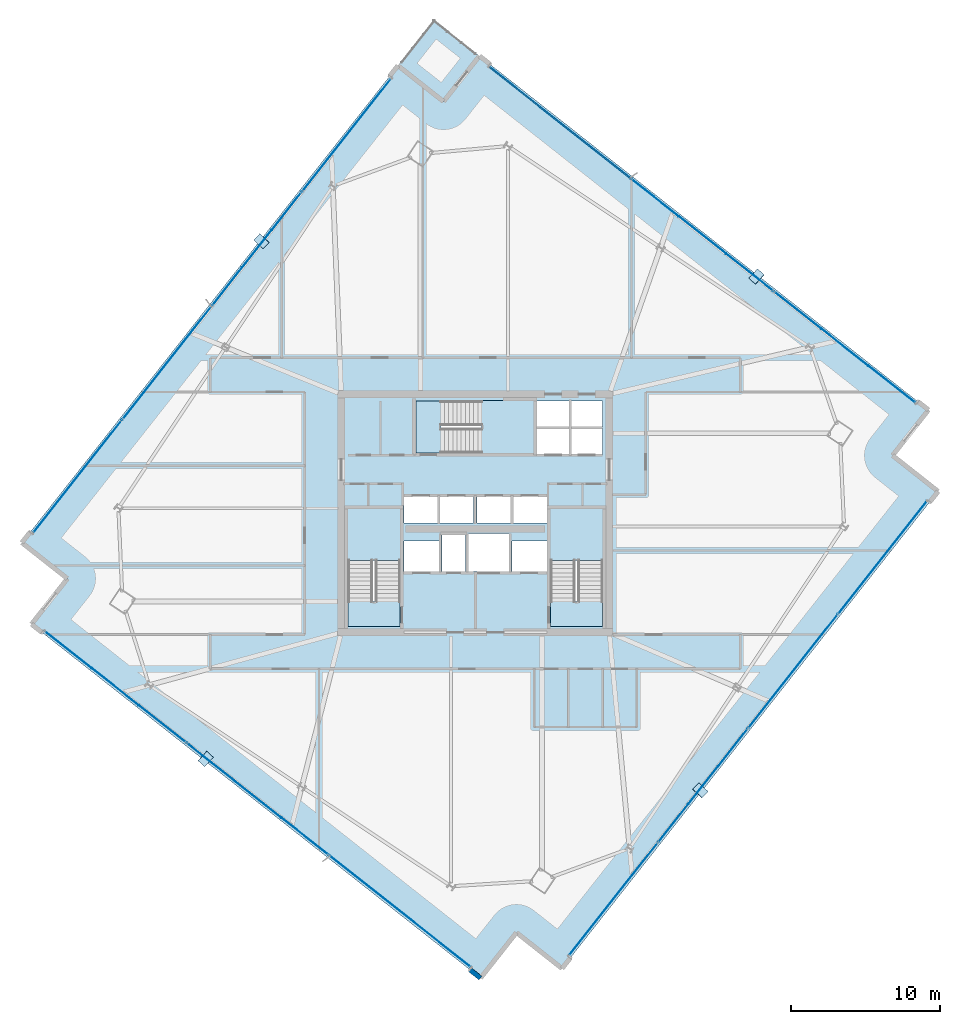
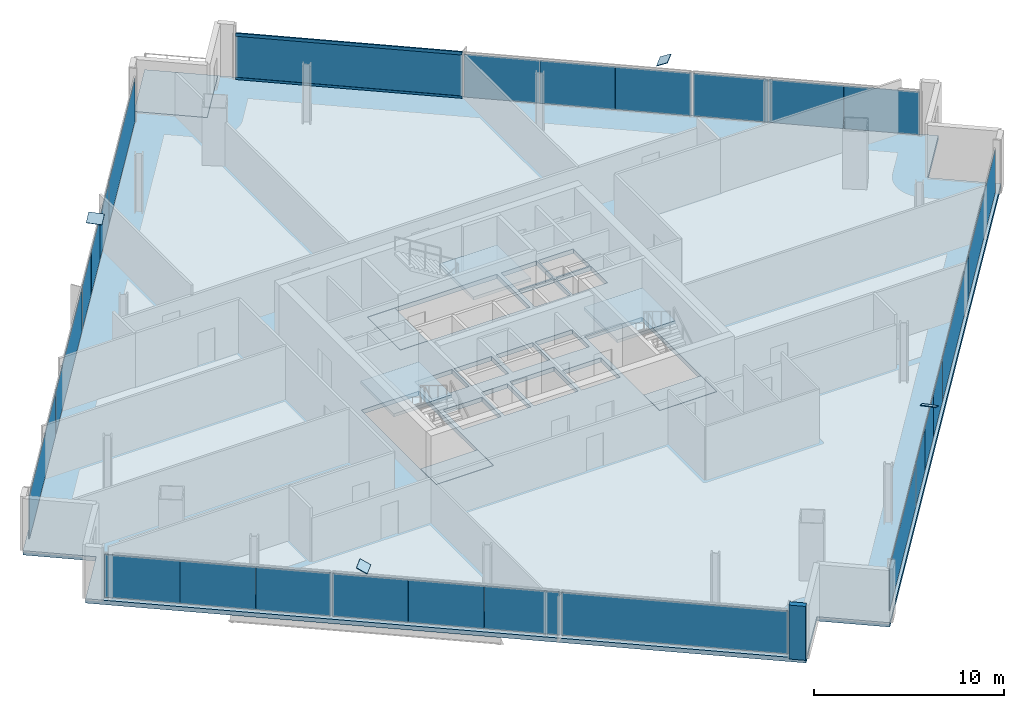
# One storey, part 19 of 28: 30 plates, 8 slabs, 2 members, 1 wall, 7 elements without a shape of their own.
"""IFC4 building model written with IfcOpenShell, lengths in metres."""

from ifc_helpers import new_model, si_unit, direction, frame, frame_2d, origin, origin_2d, place, context, subcontext, project, spatial, polyline, rectangle, hollow_rectangle, outline, extrude, source, transform, mapped, material, layer, layer_set, material_profile, profile_set, type_object, element, aggregate, save


model = new_model("IFC4")

# Units and contexts
model_context = context("Model", 3, precision=1e-05, world=origin(), true_north=direction((0.0, 1.0)))
body_context = subcontext(model_context, "Body", "Model", "MODEL_VIEW")
ifc_project = project(units=[si_unit("LENGTHUNIT", "METRE"), si_unit("AREAUNIT", "SQUARE_METRE"), si_unit("VOLUMEUNIT", "CUBIC_METRE"), si_unit("PLANEANGLEUNIT", "RADIAN"), si_unit("MASSUNIT", "GRAM", prefix="KILO")], contexts=[model_context])

# Site, building, storey
site_placement = place(None, origin())
site = spatial("IfcSite", under=ifc_project, at=site_placement, CompositionType="ELEMENT")
building_placement = place(site_placement, origin())
building = spatial("IfcBuilding", under=site, at=building_placement, Name="Haldenkirk Collegiate Tower", CompositionType="ELEMENT")
storey_placement = place(building_placement, frame((0.0, 0.0, 202.199951171875)))
storey = spatial("IfcBuildingStorey", under=building, at=storey_placement, Name="L50", CompositionType="ELEMENT", Elevation=202.199951171875)

# Curtain wall, members
ifc_material_1 = material(Name="Anodised architectural bronze aluminium", Category="aluminium")
curtain_wall_type_1 = type_object("IfcCurtainWallType", Name="CW-SYS1B-CONVEX-HI", PredefinedType="USERDEFINED", material=ifc_material_1)
curtain_wall_1_placement = place(storey_placement, origin())
curtain_wall_1 = element("IfcCurtainWall", 1, at=curtain_wall_1_placement, inside=storey, type_object=curtain_wall_type_1, Name="L50 Upper tower high-wind convex bronze unitised curtain wall", ObjectType="UNITISED CURTAIN WALL", PredefinedType="USERDEFINED")
ifc_material_profile = material_profile(ifc_material_1, hollow_rectangle(XDim=0.0849609375, YDim=0.199951171875, WallThickness=0.0048828125, at=origin_2d()), Name="CW-TRN-1B")
ifc_profile_set = profile_set([ifc_material_profile], Name="Anodised architectural bronze aluminium")
member_type = type_object("IfcMemberType", Name="CW-TRN-1B", PredefinedType="USERDEFINED", material=ifc_profile_set)
member_1_placement = place(storey_placement, frame((36.942138671875, 55.970947265625, 0.04248046875), z_axis=(0.785321539815, -0.61908810286, 0.0), x_axis=(0.61908810286, 0.785321539815, 0.0)))
member_1 = element("IfcMember", 2, at=member_1_placement, type_object=member_type, Name="CW-1B transom 1.1", ObjectType="TRANSOM", PredefinedType="USERDEFINED", context=body_context, shape_type="SweptSolid", body=[
    extrude(hollow_rectangle(XDim=0.0849609375, YDim=0.199951171875, WallThickness=0.0048828125, at=origin_2d()), origin(), (0.0, 0.0, 1.0), 12.072509765625),
])
member_2_placement = place(storey_placement, frame((36.942138671875, 55.970947265625, 2.885498046875), z_axis=(0.785321539815, -0.61908810286, 0.0), x_axis=(0.61908810286, 0.785321539815, 0.0)))
member_2 = element("IfcMember", 3, at=member_2_placement, type_object=member_type, Name="CW-1B transom 1.2", ObjectType="TRANSOM", PredefinedType="USERDEFINED", context=body_context, shape_type="SweptSolid", body=[
    extrude(hollow_rectangle(XDim=0.0849609375, YDim=0.199951171875, WallThickness=0.0048828125, at=origin_2d()), origin(), (0.0, 0.0, 1.0), 12.072509765625),
])

# Slab
ifc_material_2 = material(Name="Concrete f'c 40 MPa", Category="concrete")
ifc_layer_1 = layer(ifc_material_2, 0.280029296875)
ifc_layer_set_1 = layer_set([ifc_layer_1], Name="Concrete f'c 40 MPa")
slab_type_1 = type_object("IfcSlabType", Name="SLB-FLR-280", PredefinedType="FLOOR", material=ifc_layer_set_1)
slab_1_placement = place(storey_placement, frame((0.0, 0.0, -0.280029296875)))
element("IfcSlab", 4, at=slab_1_placement, inside=storey, type_object=slab_type_1, Name="L50 composite structural floor slab", PredefinedType="FLOOR", context=body_context, shape_type="SweptSolid", body=[
    extrude(outline(polyline([(41.825439453125, -4.569091796875), (67.08447265625, 27.4716796875), (64.021728515625, 29.88623046875), (66.436279296875, 32.948974609375), (36.280029296875, 56.72216796875), (33.865478515625, 53.659423828125), (30.802734375, 56.073974609375), (5.543701171875, 24.032958984375), (8.6064453125, 21.618408203125), (6.192138671875, 18.555908203125), (36.34814453125, -5.21728515625), (38.7626953125, -2.15478515625), (41.825439453125, -4.569091796875)]), holes=[polyline([(27.449951171875, 18.39990234375), (30.949951171875, 18.39990234375), (30.949951171875, 26.300048828125), (27.449951171875, 26.300048828125), (27.449951171875, 18.39990234375)]), polyline([(41.050048828125, 18.39990234375), (44.550048828125, 18.39990234375), (44.550048828125, 26.300048828125), (41.050048828125, 26.300048828125), (41.050048828125, 18.39990234375)]), polyline([(32.0, 30.050048828125), (39.89990234375, 30.050048828125), (39.89990234375, 33.550048828125), (32.0, 33.550048828125), (32.0, 30.050048828125)]), polyline([(33.75, 22.10009765625), (35.35009765625, 22.10009765625), (35.35009765625, 24.550048828125), (33.75, 24.550048828125), (33.75, 22.10009765625)]), polyline([(40.14990234375, 29.949951171875), (42.320068359375, 29.949951171875), (42.320068359375, 31.699951171875), (40.14990234375, 31.699951171875), (40.14990234375, 29.949951171875)]), polyline([(42.419921875, 29.949951171875), (44.550048828125, 29.949951171875), (44.550048828125, 31.699951171875), (42.419921875, 31.699951171875), (42.419921875, 29.949951171875)]), polyline([(40.14990234375, 31.800048828125), (42.320068359375, 31.800048828125), (42.320068359375, 33.550048828125), (40.14990234375, 33.550048828125), (40.14990234375, 31.800048828125)]), polyline([(42.419921875, 31.800048828125), (44.550048828125, 31.800048828125), (44.550048828125, 33.550048828125), (42.419921875, 33.550048828125), (42.419921875, 31.800048828125)]), polyline([(31.199951171875, 25.35009765625), (33.47998046875, 25.35009765625), (33.47998046875, 27.14990234375), (31.199951171875, 27.14990234375), (31.199951171875, 25.35009765625)]), polyline([(33.60009765625, 25.35009765625), (35.8798828125, 25.35009765625), (35.8798828125, 27.14990234375), (33.60009765625, 27.14990234375), (33.60009765625, 25.35009765625)]), polyline([(36.1201171875, 25.35009765625), (38.39990234375, 25.35009765625), (38.39990234375, 27.14990234375), (36.1201171875, 27.14990234375), (36.1201171875, 25.35009765625)]), polyline([(38.52001953125, 25.35009765625), (40.800048828125, 25.35009765625), (40.800048828125, 27.14990234375), (38.52001953125, 27.14990234375), (38.52001953125, 25.35009765625)]), polyline([(31.199951171875, 22.10009765625), (33.550048828125, 22.10009765625), (33.550048828125, 24.14990234375), (31.199951171875, 24.14990234375), (31.199951171875, 22.10009765625)]), polyline([(38.449951171875, 22.10009765625), (40.800048828125, 22.10009765625), (40.800048828125, 24.14990234375), (38.449951171875, 24.14990234375), (38.449951171875, 22.10009765625)]), polyline([(35.550048828125, 22.10009765625), (38.25, 22.10009765625), (38.25, 24.64990234375), (35.550048828125, 24.64990234375), (35.550048828125, 22.10009765625)])]), origin(), (0.0, 0.0, 1.0), 0.280029296875),
])

# Stair, slab
stair_type = type_object("IfcStairType", Name="STR-DOGLEG-1650", PredefinedType="HALF_TURN_STAIR", material=ifc_material_2)
stair_1_placement = place(storey_placement, origin())
stair_1 = element("IfcStair", 5, at=stair_1_placement, inside=storey, type_object=stair_type, Name="L50 Core Exit Stair ST-1", PredefinedType="HALF_TURN_STAIR")
ifc_layer_2 = layer(ifc_material_2, 0.199951171875)
ifc_layer_set_2 = layer_set([ifc_layer_2], Name="Concrete f'c 40 MPa")
slab_type_2 = type_object("IfcSlabType", Name="SLB-LANDING-200", PredefinedType="LANDING", material=ifc_layer_set_2)
slab_2_placement = place(storey_placement, frame((0.0, 0.0, 1.675048828125)))
slab_2 = element("IfcSlab", 6, at=slab_2_placement, type_object=slab_type_2, Name="ST-1 landing 1", PredefinedType="LANDING", context=body_context, shape_type="SweptSolid", body=[
    extrude(outline(polyline([(30.97509765625, 22.824951171875), (27.425048828125, 22.824951171875), (27.425048828125, 26.324951171875), (30.97509765625, 26.324951171875), (30.97509765625, 22.824951171875)])), origin(), (0.0, 0.0, 1.0), 0.199951171875),
])
aggregate(stair_1, [slab_2])

stair_2_placement = place(storey_placement, origin())
stair_2 = element("IfcStair", 7, at=stair_2_placement, inside=storey, type_object=stair_type, Name="L50 Core Exit Stair ST-2", PredefinedType="HALF_TURN_STAIR")
slab_3_placement = place(storey_placement, frame((0.0, 0.0, 1.675048828125)))
slab_3 = element("IfcSlab", 8, at=slab_3_placement, type_object=slab_type_2, Name="ST-2 landing 1", PredefinedType="LANDING", context=body_context, shape_type="SweptSolid", body=[
    extrude(outline(polyline([(44.574951171875, 22.824951171875), (41.02490234375, 22.824951171875), (41.02490234375, 26.324951171875), (44.574951171875, 26.324951171875), (44.574951171875, 22.824951171875)])), origin(), (0.0, 0.0, 1.0), 0.199951171875),
])
aggregate(stair_2, [slab_3])

stair_3_placement = place(storey_placement, origin())
stair_3 = element("IfcStair", 9, at=stair_3_placement, inside=storey, type_object=stair_type, Name="L50 Core Exit Stair ST-3", PredefinedType="HALF_TURN_STAIR")
slab_4_placement = place(storey_placement, frame((0.0, 0.0, 1.675048828125)))
slab_4 = element("IfcSlab", 10, at=slab_4_placement, type_object=slab_type_2, Name="ST-3 landing 1", PredefinedType="LANDING", context=body_context, shape_type="SweptSolid", body=[
    extrude(outline(polyline([(36.425048828125, 30.02490234375), (36.425048828125, 33.574951171875), (39.925048828125, 33.574951171875), (39.925048828125, 30.02490234375), (36.425048828125, 30.02490234375)])), origin(), (0.0, 0.0, 1.0), 0.199951171875),
])
aggregate(stair_3, [slab_4])

# Slabs
ifc_layer_3 = layer(ifc_material_2, 0.25)
ifc_layer_set_3 = layer_set([ifc_layer_3], Name="Concrete f'c 40 MPa")
slab_type_3 = type_object("IfcSlabType", Name="SLB-STAIRLAND-250", PredefinedType="LANDING", material=ifc_layer_set_3)
slab_5_placement = place(storey_placement, frame((0.0, 0.0, -0.25)))
element("IfcSlab", 11, at=slab_5_placement, inside=storey, type_object=slab_type_3, Name="L50 stair ST1 structural floor landing slab", PredefinedType="LANDING", context=body_context, shape_type="SweptSolid", body=[
    extrude(outline(polyline([(27.4599609375, 18.409912109375), (30.93994140625, 18.409912109375), (30.93994140625, 20.080078125), (27.4599609375, 20.080078125), (27.4599609375, 18.409912109375)])), origin(), (0.0, 0.0, 1.0), 0.25),
])
slab_6_placement = place(storey_placement, frame((0.0, 0.0, -0.25)))
element("IfcSlab", 12, at=slab_6_placement, inside=storey, type_object=slab_type_3, Name="L50 stair ST2 structural floor landing slab", PredefinedType="LANDING", context=body_context, shape_type="SweptSolid", body=[
    extrude(outline(polyline([(41.06005859375, 18.409912109375), (44.5400390625, 18.409912109375), (44.5400390625, 20.080078125), (41.06005859375, 20.080078125), (41.06005859375, 18.409912109375)])), origin(), (0.0, 0.0, 1.0), 0.25),
])
slab_7_placement = place(storey_placement, frame((0.0, 0.0, -0.25)))
element("IfcSlab", 13, at=slab_7_placement, inside=storey, type_object=slab_type_3, Name="L50 stair ST3 structural floor landing slab", PredefinedType="LANDING", context=body_context, shape_type="SweptSolid", body=[
    extrude(outline(polyline([(32.010009765625, 30.06005859375), (33.679931640625, 30.06005859375), (33.679931640625, 33.5400390625), (32.010009765625, 33.5400390625), (32.010009765625, 30.06005859375)])), origin(), (0.0, 0.0, 1.0), 0.25),
])
ifc_layer_4 = layer(ifc_material_2, 0.22998046875)
ifc_layer_set_4 = layer_set([ifc_layer_4], Name="Concrete f'c 40 MPa")
slab_type_4 = type_object("IfcSlabType", Name="SLB-TERR-SPIRAL-230", PredefinedType="FLOOR", material=ifc_layer_set_4)
slab_8_placement = place(storey_placement, frame((0.0, 0.0, -0.22998046875)))
element("IfcSlab", 14, at=slab_8_placement, inside=storey, type_object=slab_type_4, Name="L50 spiralling corner terrace slab", PredefinedType="FLOOR", context=body_context, shape_type="SweptSolid", body=[
    extrude(outline(polyline([(33.865478515625, 53.659423828125), (36.280029296875, 56.72216796875), (33.21728515625, 59.13671875), (30.802734375, 56.073974609375), (33.865478515625, 53.659423828125)])), origin(), (0.0, 0.0, 1.0), 0.22998046875),
])

# Plates
ifc_material_3 = material(Name="Steel ASTM A572 Grade 50", Category="steel")
ifc_layer_5 = layer(ifc_material_3, 0.034912109375)
ifc_layer_set_5 = layer_set([ifc_layer_5], Name="Steel ASTM A572 Grade 50")
plate_type_1 = type_object("IfcPlateType", Name="PLT-CAP-EXT-760X600", PredefinedType="USERDEFINED", material=ifc_layer_set_5)
shared_shape_1 = source(origin(), body_context, "Body", "SweptSolid", [
    extrude(rectangle(XDim=0.860107421875, YDim=0.659912109375, at=origin_2d()), origin(), (0.0, 0.0, 1.0), 0.034912109375),
])
for number, where, z_axis, x_axis, name in (
    (15, (51.111083984375, 7.38671875, 3.457275390625), (0.312555935914, 0.331139932103, 0.89031181745), (-0.727218700168, 0.686405829029, 1.59298e-07), "Perimeter Mega Brace Z4 L48-L50 SL end cap plate 2"),
    (16, (54.8935546875, 41.90185546875, 3.45751953125), (-0.319786048935, 0.301466046131, 0.898251137454), (-0.685956170145, -0.72764286064, 4.48427e-07), "Perimeter Mega Brace Z4 L48-L50 EL end cap plate 2"),
    (17, (21.642822265625, 44.283447265625, 3.45751953125), (-0.317403962572, -0.335494960438, 0.886959895409), (0.726420226591, -0.687250794397, -5.85895e-07), "Perimeter Mega Brace Z4 L48-L50 NL end cap plate 2"),
    (18, (17.884521484375, 9.509521484375, 3.457275390625), (0.335975982037, -0.309382983459, 0.889607952438), (0.677394692002, 0.735619759962, -1.24598e-07), "Perimeter Mega Brace Z4 L48-L50 WL end cap plate 2"),
):
    element("IfcPlate", number, at=place(storey_placement, frame(where, z_axis=z_axis, x_axis=x_axis)), inside=storey, type_object=plate_type_1, Name=name, ObjectType="END CAP PLATE", PredefinedType="USERDEFINED", context=body_context, shape_type="MappedRepresentation", body=[
        mapped(shared_shape_1, transform((0.0, 0.0, 0.0), x_axis=(1.0, 0.0, 0.0), y_axis=(0.0, 1.0, 0.0), z_axis=(0.0, 0.0, 1.0), scale=1.0)),
    ])

# Curtain wall, plates
curtain_wall_type_2 = type_object("IfcCurtainWallType", Name="CW-SYS2-CONCAVE", PredefinedType="USERDEFINED", material=ifc_material_1)
curtain_wall_2_placement = place(storey_placement, origin())
curtain_wall_2 = element("IfcCurtainWall", 19, at=curtain_wall_2_placement, inside=storey, type_object=curtain_wall_type_2, Name="L50 South concave recessed bronze-anodised curtain wall", ObjectType="UNITISED CURTAIN WALL", PredefinedType="USERDEFINED")
ifc_material_4 = material(Name="Low-E argon triple insulating glass", Category="glass")
ifc_layer_6 = layer(ifc_material_4, 0.0419921875)
ifc_layer_set_6 = layer_set([ifc_layer_6], Name="Low-E argon triple insulating glass")
plate_type_2 = type_object("IfcPlateType", Name="CW-PNL-02", PredefinedType="CURTAIN_PANEL", material=ifc_layer_set_6)
shared_shape_2 = source(origin(), body_context, "Body", "SweptSolid", [
    extrude(rectangle(XDim=9.637451171875, YDim=0.0419921875, at=origin_2d()), origin(), (0.0, 0.0, 1.0), 2.778076171875),
])
plate_1_placement = place(storey_placement, frame((63.356201171875, 23.033203125, 0.0751953125), z_axis=(0.0, 0.0, 1.0), x_axis=(-0.619094023365, -0.7853168725, 0.0)))
plate_1 = element("IfcPlate", 20, at=plate_1_placement, type_object=plate_type_2, Name="CW-02 panel 1.1", PredefinedType="CURTAIN_PANEL", context=body_context, shape_type="MappedRepresentation", body=[
    mapped(shared_shape_2, transform((0.0, 0.0, 0.0), x_axis=(1.0, 0.0, 0.0), y_axis=(0.0, 1.0, 0.0), z_axis=(0.0, 0.0, 1.0), scale=1.0)),
])
plate_2_placement = place(storey_placement, frame((45.27099609375, 0.092041015625, 0.0751953125), z_axis=(0.0, 0.0, 1.0), x_axis=(-0.619094023365, -0.7853168725, 0.0)))
plate_2 = element("IfcPlate", 21, at=plate_2_placement, type_object=plate_type_2, Name="CW-02 panel 4.1", PredefinedType="CURTAIN_PANEL", context=body_context, shape_type="MappedRepresentation", body=[
    mapped(shared_shape_2, transform((0.0, 0.0, 0.0), x_axis=(1.0, 0.0, 0.0), y_axis=(0.0, 1.0, 0.0), z_axis=(0.0, 0.0, 1.0), scale=1.0)),
])
shared_shape_3 = source(origin(), body_context, "Body", "SweptSolid", [
    extrude(rectangle(XDim=9.675048828125, YDim=0.0419921875, at=origin_2d()), origin(), (0.0, 0.0, 1.0), 2.778076171875),
])
plate_3_placement = place(storey_placement, frame((57.33154296875, 15.39111328125, 0.0751953125), z_axis=(0.0, 0.0, 1.0), x_axis=(-0.619094023365, -0.7853168725, 0.0)))
plate_3 = element("IfcPlate", 22, at=plate_3_placement, type_object=plate_type_2, Name="CW-02 panel 2.1", PredefinedType="CURTAIN_PANEL", context=body_context, shape_type="MappedRepresentation", body=[
    mapped(shared_shape_3, transform((0.0, 0.0, 0.0), x_axis=(1.0, 0.0, 0.0), y_axis=(0.0, 1.0, 0.0), z_axis=(0.0, 0.0, 1.0), scale=1.0)),
])
ifc_material_5 = material(Name="Bronze-anodised insulated aluminium spandrel panel", Category="aluminium")
ifc_layer_7 = layer(ifc_material_5, 0.0419921875)
ifc_layer_set_7 = layer_set([ifc_layer_7], Name="Bronze-anodised insulated aluminium spandrel panel")
plate_type_3 = type_object("IfcPlateType", Name="CW-SPD-02", PredefinedType="CURTAIN_PANEL", material=ifc_layer_set_7)
shared_shape_4 = source(origin(), body_context, "Body", "SweptSolid", [
    extrude(rectangle(XDim=3.21240234375, YDim=0.0419921875, at=origin_2d()), origin(), (0.0, 0.0, 1.0), 2.778076171875),
])
plate_4_placement = place(storey_placement, frame((53.2958984375, 10.271728515625, 0.0751953125), z_axis=(0.0, 0.0, 1.0), x_axis=(-0.619094023365, -0.7853168725, 0.0)))
plate_4 = element("IfcPlate", 23, at=plate_4_placement, type_object=plate_type_3, Name="CW-02 spandrel panel 3.1a", PredefinedType="CURTAIN_PANEL", context=body_context, shape_type="MappedRepresentation", body=[
    mapped(shared_shape_4, transform((0.0, 0.0, 0.0), x_axis=(1.0, 0.0, 0.0), y_axis=(0.0, 1.0, 0.0), z_axis=(0.0, 0.0, 1.0), scale=1.0)),
])
plate_5_placement = place(storey_placement, frame((49.294921875, 5.19677734375, 0.0751953125), z_axis=(0.0, 0.0, 1.0), x_axis=(-0.619094023365, -0.7853168725, 0.0)))
plate_5 = element("IfcPlate", 24, at=plate_5_placement, type_object=plate_type_3, Name="CW-02 spandrel panel 3.1c", PredefinedType="CURTAIN_PANEL", context=body_context, shape_type="MappedRepresentation", body=[
    mapped(shared_shape_4, transform((0.0, 0.0, 0.0), x_axis=(1.0, 0.0, 0.0), y_axis=(0.0, 1.0, 0.0), z_axis=(0.0, 0.0, 1.0), scale=1.0)),
])
shared_shape_5 = source(origin(), body_context, "Body", "SweptSolid", [
    extrude(rectangle(XDim=3.199951171875, YDim=0.0419921875, at=origin_2d()), origin(), (0.0, 0.0, 1.0), 2.778076171875),
])
plate_6_placement = place(storey_placement, frame((51.29541015625, 7.734375, 0.0751953125), z_axis=(0.0, 0.0, 1.0), x_axis=(-0.619094023365, -0.7853168725, 0.0)))
plate_6 = element("IfcPlate", 25, at=plate_6_placement, type_object=plate_type_3, Name="CW-02 spandrel panel 3.1b", PredefinedType="CURTAIN_PANEL", context=body_context, shape_type="MappedRepresentation", body=[
    mapped(shared_shape_5, transform((0.0, 0.0, 0.0), x_axis=(1.0, 0.0, 0.0), y_axis=(0.0, 1.0, 0.0), z_axis=(0.0, 0.0, 1.0), scale=1.0)),
])
aggregate(curtain_wall_2, [plate_1, plate_3, plate_4, plate_6, plate_5, plate_2])

# Plate
ifc_layer_8 = layer(ifc_material_4, 0.048095703125)
ifc_layer_set_8 = layer_set([ifc_layer_8], Name="Low-E argon triple insulating glass")
plate_type_4 = type_object("IfcPlateType", Name="CW-PNL-1B", PredefinedType="CURTAIN_PANEL", material=ifc_layer_set_8)
shared_shape_6 = source(origin(), body_context, "Body", "SweptSolid", [
    extrude(rectangle(XDim=12.072509765625, YDim=0.048095703125, at=origin_2d()), origin(), (0.0, 0.0, 1.0), 2.758056640625),
])
plate_7_placement = place(storey_placement, frame((41.6826171875, 52.23388671875, 0.0849609375), z_axis=(0.0, 0.0, 1.0), x_axis=(0.785317446355, -0.619093295434, 0.0)))
plate_7 = element("IfcPlate", 26, at=plate_7_placement, type_object=plate_type_4, Name="CW-1B panel 1.1", PredefinedType="CURTAIN_PANEL", context=body_context, shape_type="MappedRepresentation", body=[
    mapped(shared_shape_6, transform((0.0, 0.0, 0.0), x_axis=(1.0, 0.0, 0.0), y_axis=(0.0, 1.0, 0.0), z_axis=(0.0, 0.0, 1.0), scale=1.0)),
])

# Curtain wall, plate
curtain_wall_3_placement = place(storey_placement, origin())
curtain_wall_3 = element("IfcCurtainWall", 27, at=curtain_wall_3_placement, inside=storey, type_object=curtain_wall_type_1, Name="L50 Upper tower high-wind convex bronze unitised curtain wall", ObjectType="UNITISED CURTAIN WALL", PredefinedType="USERDEFINED")
plate_8_placement = place(storey_placement, frame((30.94580078125, -0.729248046875, 0.0849609375), z_axis=(0.0, 0.0, 1.0), x_axis=(-0.785316399144, 0.619094623814, 0.0)))
plate_8 = element("IfcPlate", 28, at=plate_8_placement, type_object=plate_type_4, Name="CW-1B panel 1.1", PredefinedType="CURTAIN_PANEL", context=body_context, shape_type="MappedRepresentation", body=[
    mapped(shared_shape_6, transform((0.0, 0.0, 0.0), x_axis=(1.0, 0.0, 0.0), y_axis=(0.0, 1.0, 0.0), z_axis=(0.0, 0.0, 1.0), scale=1.0)),
])

# Plate
shared_shape_7 = source(origin(), body_context, "Body", "SweptSolid", [
    extrude(rectangle(XDim=4.02587890625, YDim=0.048095703125, at=origin_2d()), origin(), (0.0, 0.0, 1.0), 2.758056640625),
])
plate_9_placement = place(storey_placement, frame((48.0703125, 47.1982421875, 0.0849609375), z_axis=(0.0, 0.0, 1.0), x_axis=(0.785317446355, -0.619093295434, 0.0)))
plate_9 = element("IfcPlate", 29, at=plate_9_placement, type_object=plate_type_4, Name="CW-1B panel 2.1a", PredefinedType="CURTAIN_PANEL", context=body_context, shape_type="MappedRepresentation", body=[
    mapped(shared_shape_7, transform((0.0, 0.0, 0.0), x_axis=(1.0, 0.0, 0.0), y_axis=(0.0, 1.0, 0.0), z_axis=(0.0, 0.0, 1.0), scale=1.0)),
])

ifc_layer_9 = layer(ifc_material_5, 0.048095703125)
ifc_layer_set_9 = layer_set([ifc_layer_9], Name="Bronze-anodised insulated aluminium spandrel panel")
plate_type_5 = type_object("IfcPlateType", Name="CW-SPD-1B", PredefinedType="CURTAIN_PANEL", material=ifc_layer_set_9)
plate_10_placement = place(storey_placement, frame((54.423095703125, 42.190185546875, 0.0849609375), z_axis=(0.0, 0.0, 1.0), x_axis=(0.785317446355, -0.619093295434, 0.0)))
plate_10 = element("IfcPlate", 30, at=plate_10_placement, type_object=plate_type_5, Name="CW-1B spandrel panel 2.1c", PredefinedType="CURTAIN_PANEL", context=body_context, shape_type="MappedRepresentation", body=[
    mapped(shared_shape_7, transform((0.0, 0.0, 0.0), x_axis=(1.0, 0.0, 0.0), y_axis=(0.0, 1.0, 0.0), z_axis=(0.0, 0.0, 1.0), scale=1.0)),
])

plate_11_placement = place(storey_placement, frame((24.557861328125, 4.306640625, 0.0849609375), z_axis=(0.0, 0.0, 1.0), x_axis=(-0.785316399144, 0.619094623814, 0.0)))
plate_11 = element("IfcPlate", 31, at=plate_11_placement, type_object=plate_type_4, Name="CW-1B panel 2.1a", PredefinedType="CURTAIN_PANEL", context=body_context, shape_type="MappedRepresentation", body=[
    mapped(shared_shape_7, transform((0.0, 0.0, 0.0), x_axis=(1.0, 0.0, 0.0), y_axis=(0.0, 1.0, 0.0), z_axis=(0.0, 0.0, 1.0), scale=1.0)),
])

plate_12_placement = place(storey_placement, frame((18.205322265625, 9.314697265625, 0.0849609375), z_axis=(0.0, 0.0, 1.0), x_axis=(-0.785316399144, 0.619094623814, 0.0)))
plate_12 = element("IfcPlate", 32, at=plate_12_placement, type_object=plate_type_5, Name="CW-1B spandrel panel 2.1c", PredefinedType="CURTAIN_PANEL", context=body_context, shape_type="MappedRepresentation", body=[
    mapped(shared_shape_7, transform((0.0, 0.0, 0.0), x_axis=(1.0, 0.0, 0.0), y_axis=(0.0, 1.0, 0.0), z_axis=(0.0, 0.0, 1.0), scale=1.0)),
])

shared_shape_8 = source(origin(), body_context, "Body", "SweptSolid", [
    extrude(rectangle(XDim=4.01318359375, YDim=0.048095703125, at=origin_2d()), origin(), (0.0, 0.0, 1.0), 2.758056640625),
])
plate_13_placement = place(storey_placement, frame((51.24658203125, 44.694091796875, 0.0849609375), z_axis=(0.0, 0.0, 1.0), x_axis=(0.785317446355, -0.619093295434, 0.0)))
plate_13 = element("IfcPlate", 33, at=plate_13_placement, type_object=plate_type_4, Name="CW-1B panel 2.1b", PredefinedType="CURTAIN_PANEL", context=body_context, shape_type="MappedRepresentation", body=[
    mapped(shared_shape_8, transform((0.0, 0.0, 0.0), x_axis=(1.0, 0.0, 0.0), y_axis=(0.0, 1.0, 0.0), z_axis=(0.0, 0.0, 1.0), scale=1.0)),
])

plate_14_placement = place(storey_placement, frame((21.381591796875, 6.810546875, 0.0849609375), z_axis=(0.0, 0.0, 1.0), x_axis=(-0.785316399144, 0.619094623814, 0.0)))
plate_14 = element("IfcPlate", 34, at=plate_14_placement, type_object=plate_type_5, Name="CW-1B spandrel panel 2.1b", PredefinedType="CURTAIN_PANEL", context=body_context, shape_type="MappedRepresentation", body=[
    mapped(shared_shape_8, transform((0.0, 0.0, 0.0), x_axis=(1.0, 0.0, 0.0), y_axis=(0.0, 1.0, 0.0), z_axis=(0.0, 0.0, 1.0), scale=1.0)),
])

shared_shape_9 = source(origin(), body_context, "Body", "SweptSolid", [
    extrude(rectangle(XDim=4.01171875, YDim=0.048095703125, at=origin_2d()), origin(), (0.0, 0.0, 1.0), 2.758056640625),
])
plate_15_placement = place(storey_placement, frame((57.645751953125, 39.649658203125, 0.0849609375), z_axis=(0.0, 0.0, 1.0), x_axis=(0.785317446355, -0.619093295434, 0.0)))
plate_15 = element("IfcPlate", 35, at=plate_15_placement, type_object=plate_type_5, Name="CW-1B spandrel panel 3.1a", PredefinedType="CURTAIN_PANEL", context=body_context, shape_type="MappedRepresentation", body=[
    mapped(shared_shape_9, transform((0.0, 0.0, 0.0), x_axis=(1.0, 0.0, 0.0), y_axis=(0.0, 1.0, 0.0), z_axis=(0.0, 0.0, 1.0), scale=1.0)),
])

plate_16_placement = place(storey_placement, frame((63.97607421875, 34.6591796875, 0.0849609375), z_axis=(0.0, 0.0, 1.0), x_axis=(0.785317446355, -0.619093295434, 0.0)))
plate_16 = element("IfcPlate", 36, at=plate_16_placement, type_object=plate_type_4, Name="CW-1B panel 3.1c", PredefinedType="CURTAIN_PANEL", context=body_context, shape_type="MappedRepresentation", body=[
    mapped(shared_shape_9, transform((0.0, 0.0, 0.0), x_axis=(1.0, 0.0, 0.0), y_axis=(0.0, 1.0, 0.0), z_axis=(0.0, 0.0, 1.0), scale=1.0)),
])

plate_17_placement = place(storey_placement, frame((14.982421875, 11.855224609375, 0.0849609375), z_axis=(0.0, 0.0, 1.0), x_axis=(-0.785316399144, 0.619094623814, 0.0)))
plate_17 = element("IfcPlate", 37, at=plate_17_placement, type_object=plate_type_5, Name="CW-1B spandrel panel 3.1a", PredefinedType="CURTAIN_PANEL", context=body_context, shape_type="MappedRepresentation", body=[
    mapped(shared_shape_9, transform((0.0, 0.0, 0.0), x_axis=(1.0, 0.0, 0.0), y_axis=(0.0, 1.0, 0.0), z_axis=(0.0, 0.0, 1.0), scale=1.0)),
])

plate_18_placement = place(storey_placement, frame((8.65234375, 16.845703125, 0.0849609375), z_axis=(0.0, 0.0, 1.0), x_axis=(-0.785316399144, 0.619094623814, 0.0)))
plate_18 = element("IfcPlate", 38, at=plate_18_placement, type_object=plate_type_4, Name="CW-1B panel 3.1c", PredefinedType="CURTAIN_PANEL", context=body_context, shape_type="MappedRepresentation", body=[
    mapped(shared_shape_9, transform((0.0, 0.0, 0.0), x_axis=(1.0, 0.0, 0.0), y_axis=(0.0, 1.0, 0.0), z_axis=(0.0, 0.0, 1.0), scale=1.0)),
])

shared_shape_10 = source(origin(), body_context, "Body", "SweptSolid", [
    extrude(rectangle(XDim=3.999267578125, YDim=0.048095703125, at=origin_2d()), origin(), (0.0, 0.0, 1.0), 2.758056640625),
])
plate_19_placement = place(storey_placement, frame((60.810791015625, 37.154296875, 0.0849609375), z_axis=(0.0, 0.0, 1.0), x_axis=(0.785317446355, -0.619093295434, 0.0)))
plate_19 = element("IfcPlate", 39, at=plate_19_placement, type_object=plate_type_4, Name="CW-1B panel 3.1b", PredefinedType="CURTAIN_PANEL", context=body_context, shape_type="MappedRepresentation", body=[
    mapped(shared_shape_10, transform((0.0, 0.0, 0.0), x_axis=(1.0, 0.0, 0.0), y_axis=(0.0, 1.0, 0.0), z_axis=(0.0, 0.0, 1.0), scale=1.0)),
])

aggregate(curtain_wall_1, [member_1, member_2, plate_7, plate_9, plate_13, plate_10, plate_15, plate_19, plate_16])

plate_20_placement = place(storey_placement, frame((11.8173828125, 14.350341796875, 0.0849609375), z_axis=(0.0, 0.0, 1.0), x_axis=(-0.785316399144, 0.619094623814, 0.0)))
plate_20 = element("IfcPlate", 40, at=plate_20_placement, type_object=plate_type_4, Name="CW-1B panel 3.1b", PredefinedType="CURTAIN_PANEL", context=body_context, shape_type="MappedRepresentation", body=[
    mapped(shared_shape_10, transform((0.0, 0.0, 0.0), x_axis=(1.0, 0.0, 0.0), y_axis=(0.0, 1.0, 0.0), z_axis=(0.0, 0.0, 1.0), scale=1.0)),
])

aggregate(curtain_wall_3, [plate_8, plate_11, plate_14, plate_12, plate_17, plate_20, plate_18])

# Curtain wall, plates
curtain_wall_4_placement = place(storey_placement, origin())
curtain_wall_4 = element("IfcCurtainWall", 41, at=curtain_wall_4_placement, inside=storey, type_object=curtain_wall_type_1, Name="L50 Upper tower high-wind convex bronze unitised curtain wall", ObjectType="UNITISED CURTAIN WALL", PredefinedType="USERDEFINED")
shared_shape_11 = source(origin(), body_context, "Body", "SweptSolid", [
    extrude(rectangle(XDim=9.62255859375, YDim=0.048095703125, at=origin_2d()), origin(), (0.0, 0.0, 1.0), 2.758056640625),
])
plate_21_placement = place(storey_placement, frame((9.273681640625, 28.473388671875, 0.0849609375), z_axis=(0.0, 0.0, 1.0), x_axis=(0.619093688656, 0.785317136364, 0.0)))
plate_21 = element("IfcPlate", 42, at=plate_21_placement, type_object=plate_type_4, Name="CW-1B panel 1.1", PredefinedType="CURTAIN_PANEL", context=body_context, shape_type="MappedRepresentation", body=[
    mapped(shared_shape_11, transform((0.0, 0.0, 0.0), x_axis=(1.0, 0.0, 0.0), y_axis=(0.0, 1.0, 0.0), z_axis=(0.0, 0.0, 1.0), scale=1.0)),
])
plate_22_placement = place(storey_placement, frame((27.355712890625, 51.41064453125, 0.0849609375), z_axis=(0.0, 0.0, 1.0), x_axis=(0.619093688656, 0.785317136364, 0.0)))
plate_22 = element("IfcPlate", 43, at=plate_22_placement, type_object=plate_type_4, Name="CW-1B panel 4.1", PredefinedType="CURTAIN_PANEL", context=body_context, shape_type="MappedRepresentation", body=[
    mapped(shared_shape_11, transform((0.0, 0.0, 0.0), x_axis=(1.0, 0.0, 0.0), y_axis=(0.0, 1.0, 0.0), z_axis=(0.0, 0.0, 1.0), scale=1.0)),
])
shared_shape_12 = source(origin(), body_context, "Body", "SweptSolid", [
    extrude(rectangle(XDim=9.6650390625, YDim=0.048095703125, at=origin_2d()), origin(), (0.0, 0.0, 1.0), 2.758056640625),
])
plate_23_placement = place(storey_placement, frame((15.296630859375, 36.113525390625, 0.0849609375), z_axis=(0.0, 0.0, 1.0), x_axis=(0.619093688656, 0.785317136364, 0.0)))
plate_23 = element("IfcPlate", 44, at=plate_23_placement, type_object=plate_type_4, Name="CW-1B panel 2.1", PredefinedType="CURTAIN_PANEL", context=body_context, shape_type="MappedRepresentation", body=[
    mapped(shared_shape_12, transform((0.0, 0.0, 0.0), x_axis=(1.0, 0.0, 0.0), y_axis=(0.0, 1.0, 0.0), z_axis=(0.0, 0.0, 1.0), scale=1.0)),
])
shared_shape_13 = source(origin(), body_context, "Body", "SweptSolid", [
    extrude(rectangle(XDim=3.209228515625, YDim=0.048095703125, at=origin_2d()), origin(), (0.0, 0.0, 1.0), 2.758056640625),
])
plate_24_placement = place(storey_placement, frame((19.33447265625, 41.235595703125, 0.0849609375), z_axis=(0.0, 0.0, 1.0), x_axis=(0.619093688656, 0.785317136364, 0.0)))
plate_24 = element("IfcPlate", 45, at=plate_24_placement, type_object=plate_type_5, Name="CW-1B spandrel panel 3.1a", PredefinedType="CURTAIN_PANEL", context=body_context, shape_type="MappedRepresentation", body=[
    mapped(shared_shape_13, transform((0.0, 0.0, 0.0), x_axis=(1.0, 0.0, 0.0), y_axis=(0.0, 1.0, 0.0), z_axis=(0.0, 0.0, 1.0), scale=1.0)),
])
plate_25_placement = place(storey_placement, frame((23.331298828125, 46.305419921875, 0.0849609375), z_axis=(0.0, 0.0, 1.0), x_axis=(0.619093688656, 0.785317136364, 0.0)))
plate_25 = element("IfcPlate", 46, at=plate_25_placement, type_object=plate_type_5, Name="CW-1B spandrel panel 3.1c", PredefinedType="CURTAIN_PANEL", context=body_context, shape_type="MappedRepresentation", body=[
    mapped(shared_shape_13, transform((0.0, 0.0, 0.0), x_axis=(1.0, 0.0, 0.0), y_axis=(0.0, 1.0, 0.0), z_axis=(0.0, 0.0, 1.0), scale=1.0)),
])
shared_shape_14 = source(origin(), body_context, "Body", "SweptSolid", [
    extrude(rectangle(XDim=3.19677734375, YDim=0.048095703125, at=origin_2d()), origin(), (0.0, 0.0, 1.0), 2.758056640625),
])
plate_26_placement = place(storey_placement, frame((21.332763671875, 43.7705078125, 0.0849609375), z_axis=(0.0, 0.0, 1.0), x_axis=(0.619093688656, 0.785317136364, 0.0)))
plate_26 = element("IfcPlate", 47, at=plate_26_placement, type_object=plate_type_5, Name="CW-1B spandrel panel 3.1b", PredefinedType="CURTAIN_PANEL", context=body_context, shape_type="MappedRepresentation", body=[
    mapped(shared_shape_14, transform((0.0, 0.0, 0.0), x_axis=(1.0, 0.0, 0.0), y_axis=(0.0, 1.0, 0.0), z_axis=(0.0, 0.0, 1.0), scale=1.0)),
])
aggregate(curtain_wall_4, [plate_21, plate_23, plate_24, plate_26, plate_25, plate_22])

# Wall
ifc_material_6 = material(Name="Precast concrete f'c 40 MPa", Category="concrete")
ifc_layer_10 = layer(ifc_material_6, 0.320068359375)
ifc_layer_set_10 = layer_set([ifc_layer_10], Name="Precast concrete f'c 40 MPa")
wall_type = type_object("IfcWallType", Name="WL-EXT-TWR-320", PredefinedType="STANDARD", material=ifc_layer_set_10)
wall_placement = place(storey_placement, frame((36.34814453125, -5.21728515625, 0.0), z_axis=(0.0, 0.0, 1.0), x_axis=(-0.785347789501, 0.61905480333, 0.0)))
element("IfcWall", 48, at=wall_placement, inside=storey, type_object=wall_type, Name="L50 precast corner pier WL", PredefinedType="STANDARD", context=body_context, shape_type="SweptSolid", body=[
    extrude(rectangle(XDim=0.89990234375, YDim=0.320068359375, at=frame_2d((0.449951171875, 0.0))), origin(), (0.0, 0.0, 1.0), 3.469970703125),
])

save(model, "model.ifc")
